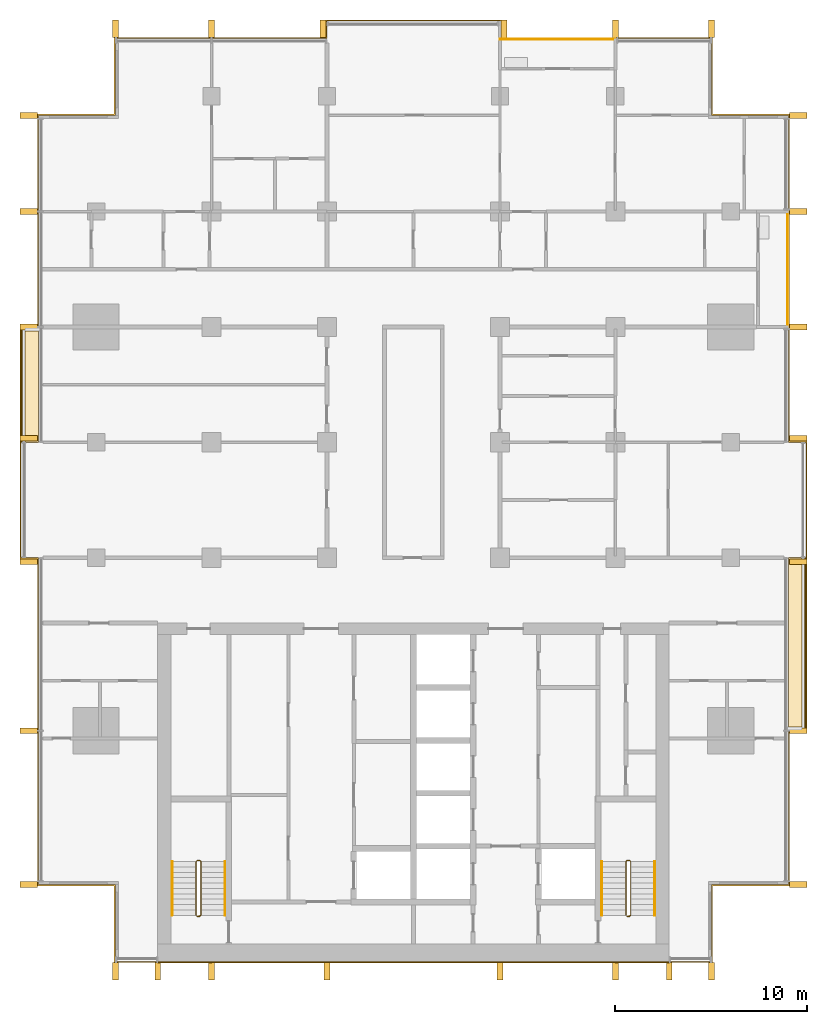
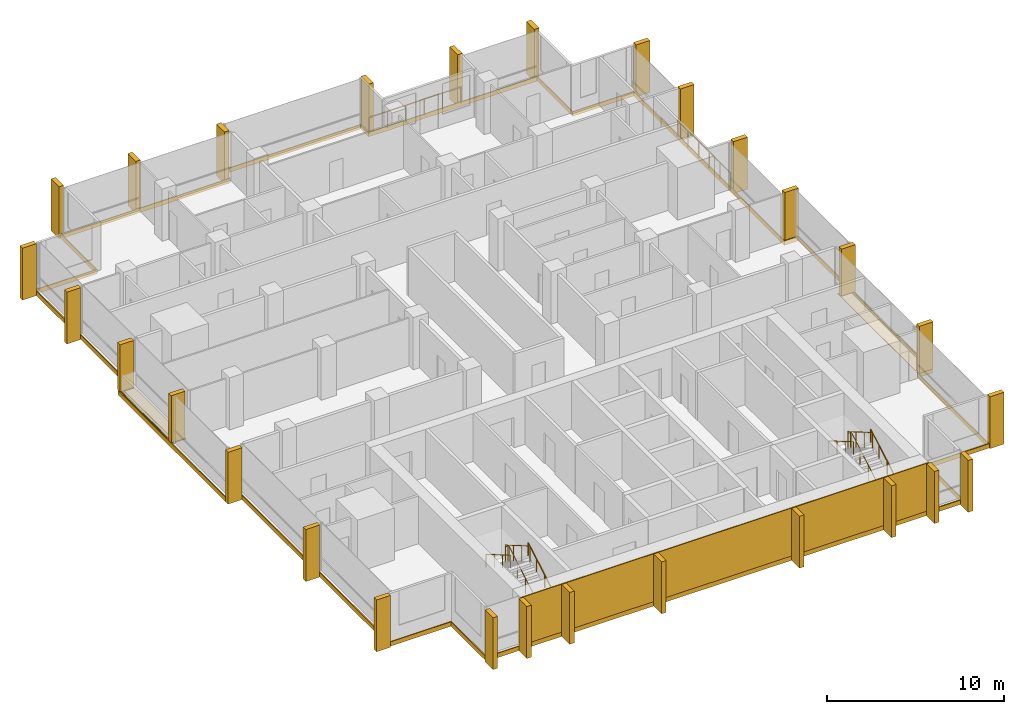
# One storey, part 16 of 16: 28 shading devices, 10 coverings, 8 railings.
"""IFC4 building model written with IfcOpenShell, lengths in metres."""

from ifc_helpers import new_model, si_unit, direction, frame, origin, origin_2d, place, context, subcontext, project, spatial, polyline, rectangle, circle, outline, extrude, material, layer, layer_set, type_object, element, save


model = new_model("IFC4")

# Units and contexts
model_context = context("Model", 3, precision=1e-05, world=origin(), true_north=direction((0.0, 1.0)))
body_context = subcontext(model_context, "Body", "Model", "MODEL_VIEW")
ifc_project = project(units=[si_unit("LENGTHUNIT", "METRE"), si_unit("AREAUNIT", "SQUARE_METRE"), si_unit("VOLUMEUNIT", "CUBIC_METRE"), si_unit("PLANEANGLEUNIT", "RADIAN"), si_unit("MASSUNIT", "GRAM", prefix="KILO")], contexts=[model_context])

# Site, building, storey
site_placement = place(None, origin())
site = spatial("IfcSite", under=ifc_project, at=site_placement, CompositionType="ELEMENT")
building_placement = place(site_placement, origin())
building = spatial("IfcBuilding", under=site, at=building_placement, Name="Finial Court Residences", CompositionType="ELEMENT")
storey_placement = place(building_placement, frame((0.0, 0.0, 156.5)))
storey = spatial("IfcBuildingStorey", under=building, at=storey_placement, Name="L38", CompositionType="ELEMENT", Elevation=156.5)

# Railings
ifc_material_1 = material(Name="Bronze anodised aluminium", Category="aluminium")
railing_type_1 = type_object("IfcRailingType", Name="Balcony guard 1100", PredefinedType="GUARDRAIL", material=ifc_material_1)
railing_1_placement = place(storey_placement, frame((4.5, 22.449951171875, 0.0)))
element("IfcRailing", 1, at=railing_1_placement, inside=storey, type_object=railing_type_1, Name="E-L38-BALN4-R", PredefinedType="GUARDRAIL", context=body_context, shape_type="SweptSolid", body=[
    extrude(circle(Radius=0.02392578125, at=origin_2d()), frame((0.0, 0.0, 1.076171875), z_axis=(1.0, 0.0, 0.0), x_axis=(0.0, 1.0, 0.0)), (0.0, 0.0, 1.0), 6.0),
    extrude(circle(Radius=0.02099609375, at=origin_2d()), origin(), (0.0, 0.0, 1.0), 1.052001953125),
    extrude(circle(Radius=0.02099609375, at=origin_2d()), frame((1.199951171875, 0.0, 0.0)), (0.0, 0.0, 1.0), 1.052001953125),
    extrude(circle(Radius=0.02099609375, at=origin_2d()), frame((2.39990234375, 0.0, 0.0)), (0.0, 0.0, 1.0), 1.052001953125),
    extrude(circle(Radius=0.02099609375, at=origin_2d()), frame((3.60009765625, 0.0, 0.0)), (0.0, 0.0, 1.0), 1.052001953125),
    extrude(circle(Radius=0.02099609375, at=origin_2d()), frame((4.800048828125, 0.0, 0.0)), (0.0, 0.0, 1.0), 1.052001953125),
    extrude(circle(Radius=0.02099609375, at=origin_2d()), frame((6.0, 0.0, 0.0)), (0.0, 0.0, 1.0), 1.052001953125),
])
railing_2_placement = place(storey_placement, frame((19.449951171875, 7.5, 0.0)))
element("IfcRailing", 2, at=railing_2_placement, inside=storey, type_object=railing_type_1, Name="E-L38-BALE5-R", PredefinedType="GUARDRAIL", context=body_context, shape_type="SweptSolid", body=[
    extrude(circle(Radius=0.02392578125, at=origin_2d()), frame((0.0, 0.0, 1.076171875), z_axis=(0.0, 1.0, 0.0), x_axis=(-1.0, 0.0, 0.0)), (0.0, 0.0, 1.0), 6.0),
    extrude(circle(Radius=0.02099609375, at=origin_2d()), origin(), (0.0, 0.0, 1.0), 1.052001953125),
    extrude(circle(Radius=0.02099609375, at=origin_2d()), frame((0.0, 1.199951171875, 0.0)), (0.0, 0.0, 1.0), 1.052001953125),
    extrude(circle(Radius=0.02099609375, at=origin_2d()), frame((0.0, 2.39990234375, 0.0)), (0.0, 0.0, 1.0), 1.052001953125),
    extrude(circle(Radius=0.02099609375, at=origin_2d()), frame((0.0, 3.60009765625, 0.0)), (0.0, 0.0, 1.0), 1.052001953125),
    extrude(circle(Radius=0.02099609375, at=origin_2d()), frame((0.0, 4.800048828125, 0.0)), (0.0, 0.0, 1.0), 1.052001953125),
    extrude(circle(Radius=0.02099609375, at=origin_2d()), frame((0.0, 6.0, 0.0)), (0.0, 0.0, 1.0), 1.052001953125),
])

# Coverings
ifc_material_2 = material(Name="Natural limestone", Category="masonry")
ifc_layer_1 = layer(ifc_material_2, 0.06005859375)
ifc_layer_set_1 = layer_set([ifc_layer_1], Name="Limestone cladding to the blind core face 60")
covering_type_1 = type_object("IfcCoveringType", Name="Limestone cladding to the blind core face 60", PredefinedType="CLADDING", material=ifc_layer_set_1)
covering_1_placement = place(storey_placement, origin())
element("IfcCovering", 3, at=covering_1_placement, inside=storey, type_object=covering_type_1, Name="E-L38-CLAD1", PredefinedType="CLADDING", context=body_context, shape_type="SweptSolid", body=[
    extrude(outline(polyline([(-10.5, -25.56005859375), (-10.5, -25.5), (-13.300048828125, -25.5), (-13.300048828125, -25.56005859375), (-10.5, -25.56005859375)])), origin(), (0.0, 0.0, 1.0), 3.300048828125),
])
covering_2_placement = place(storey_placement, origin())
element("IfcCovering", 4, at=covering_2_placement, inside=storey, type_object=covering_type_1, Name="E-L38-CLAD2", PredefinedType="CLADDING", context=body_context, shape_type="SweptSolid", body=[
    extrude(outline(polyline([(-4.5, -25.56005859375), (-4.5, -25.5), (-10.5, -25.5), (-10.5, -25.56005859375), (-4.5, -25.56005859375)])), origin(), (0.0, 0.0, 1.0), 3.300048828125),
])
covering_3_placement = place(storey_placement, origin())
element("IfcCovering", 5, at=covering_3_placement, inside=storey, type_object=covering_type_1, Name="E-L38-CLAD3", PredefinedType="CLADDING", context=body_context, shape_type="SweptSolid", body=[
    extrude(outline(polyline([(4.5, -25.56005859375), (4.5, -25.5), (-4.5, -25.5), (-4.5, -25.56005859375), (4.5, -25.56005859375)])), origin(), (0.0, 0.0, 1.0), 3.300048828125),
])
covering_4_placement = place(storey_placement, origin())
element("IfcCovering", 6, at=covering_4_placement, inside=storey, type_object=covering_type_1, Name="E-L38-CLAD4", PredefinedType="CLADDING", context=body_context, shape_type="SweptSolid", body=[
    extrude(outline(polyline([(10.5, -25.56005859375), (10.5, -25.5), (4.5, -25.5), (4.5, -25.56005859375), (10.5, -25.56005859375)])), origin(), (0.0, 0.0, 1.0), 3.300048828125),
])
covering_5_placement = place(storey_placement, origin())
element("IfcCovering", 7, at=covering_5_placement, inside=storey, type_object=covering_type_1, Name="E-L38-CLAD5", PredefinedType="CLADDING", context=body_context, shape_type="SweptSolid", body=[
    extrude(outline(polyline([(13.300048828125, -25.56005859375), (13.300048828125, -25.5), (10.5, -25.5), (10.5, -25.56005859375), (13.300048828125, -25.56005859375)])), origin(), (0.0, 0.0, 1.0), 3.300048828125),
])

# Shading devices
shading_device_type = type_object("IfcShadingDeviceType", Name="Limestone fin 300 x 900", PredefinedType="USERDEFINED", material=ifc_material_2)
for number, where, z_axis, x_axis, name in (
    (8, (-15.5, 23.010009765625, -0.300048828125), (0.0, 0.0, 1.0), (1.0, 0.0, 0.0), "E-L38-FIN-N1"),
    (9, (-10.5, 23.010009765625, -0.300048828125), (0.0, 0.0, 1.0), (1.0, 0.0, 0.0), "E-L38-FIN-N2"),
    (10, (-4.7099609375, 23.010009765625, -0.300048828125), (0.0, 0.0, 1.0), (1.0, 0.0, 0.0), "E-L38-FIN-N3"),
    (11, (4.7099609375, 23.010009765625, -0.300048828125), (0.0, 0.0, 1.0), (1.0, 0.0, 0.0), "E-L38-FIN-N4"),
    (12, (10.5, 23.010009765625, -0.300048828125), (0.0, 0.0, 1.0), (1.0, 0.0, 0.0), "E-L38-FIN-N5"),
    (13, (15.5, 23.010009765625, -0.300048828125), (0.0, 0.0, 1.0), (1.0, 0.0, 0.0), "E-L38-FIN-N6"),
):
    element("IfcShadingDevice", number, at=place(storey_placement, frame(where, z_axis=z_axis, x_axis=x_axis)), inside=storey, type_object=shading_device_type, Name=name, ObjectType="FIN", PredefinedType="USERDEFINED", context=body_context, shape_type="SweptSolid", body=[
        extrude(rectangle(XDim=0.300048828125, YDim=0.89990234375, at=origin_2d()), origin(), (0.0, 0.0, 1.0), 3.580078125),
    ])
shading_device_placement = place(storey_placement, frame((20.010009765625, -21.5, -0.300048828125), z_axis=(0.0, 0.0, 1.0), x_axis=(1.0, 0.0, 0.0)))
element("IfcShadingDevice", 14, at=shading_device_placement, inside=storey, type_object=shading_device_type, Name="E-L38-FIN-E7", ObjectType="FIN", PredefinedType="USERDEFINED", context=body_context, shape_type="SweptSolid", body=[
    extrude(rectangle(XDim=0.89990234375, YDim=0.300048828125, at=origin_2d()), origin(), (0.0, 0.0, 1.0), 3.580078125),
])
for number, where, z_axis, x_axis, name in (
    (15, (20.010009765625, -13.5, 0.0400390625), (0.0, 0.0, 1.0), (1.0, 0.0, 0.0), "E-L38-FIN-E8"),
    (16, (20.010009765625, -4.7099609375, 0.0400390625), (0.0, 0.0, 1.0), (1.0, 0.0, 0.0), "E-L38-FIN-E9"),
):
    element("IfcShadingDevice", number, at=place(storey_placement, frame(where, z_axis=z_axis, x_axis=x_axis)), inside=storey, type_object=shading_device_type, Name=name, ObjectType="FIN", PredefinedType="USERDEFINED", context=body_context, shape_type="SweptSolid", body=[
        extrude(rectangle(XDim=0.89990234375, YDim=0.300048828125, at=origin_2d()), origin(), (0.0, 0.0, 1.0), 3.239990234375),
    ])
for number, where, z_axis, x_axis, name in (
    (17, (20.010009765625, 1.7099609375, -0.300048828125), (0.0, 0.0, 1.0), (1.0, 0.0, 0.0), "E-L38-FIN-E10"),
    (18, (20.010009765625, 7.5, -0.300048828125), (0.0, 0.0, 1.0), (1.0, 0.0, 0.0), "E-L38-FIN-E11"),
    (19, (20.010009765625, 13.5, -0.300048828125), (0.0, 0.0, 1.0), (1.0, 0.0, 0.0), "E-L38-FIN-E12"),
    (20, (20.010009765625, 18.5, -0.300048828125), (0.0, 0.0, 1.0), (1.0, 0.0, 0.0), "E-L38-FIN-E13"),
):
    element("IfcShadingDevice", number, at=place(storey_placement, frame(where, z_axis=z_axis, x_axis=x_axis)), inside=storey, type_object=shading_device_type, Name=name, ObjectType="FIN", PredefinedType="USERDEFINED", context=body_context, shape_type="SweptSolid", body=[
        extrude(rectangle(XDim=0.89990234375, YDim=0.300048828125, at=origin_2d()), origin(), (0.0, 0.0, 1.0), 3.580078125),
    ])
for number, where, z_axis, x_axis, name in (
    (21, (-15.5, -26.010009765625, -0.300048828125), (0.0, 0.0, 1.0), (1.0, 0.0, 0.0), "E-L38-FIN-S14"),
    (22, (-13.300048828125, -26.010009765625, -0.300048828125), (0.0, 0.0, 1.0), (1.0, 0.0, 0.0), "E-L38-FIN-S15"),
    (23, (-10.5, -26.010009765625, -0.300048828125), (0.0, 0.0, 1.0), (1.0, 0.0, 0.0), "E-L38-FIN-S16"),
    (24, (-4.5, -26.010009765625, -0.300048828125), (0.0, 0.0, 1.0), (1.0, 0.0, 0.0), "E-L38-FIN-S17"),
    (25, (4.5, -26.010009765625, -0.300048828125), (0.0, 0.0, 1.0), (1.0, 0.0, 0.0), "E-L38-FIN-S18"),
    (26, (10.5, -26.010009765625, -0.300048828125), (0.0, 0.0, 1.0), (1.0, 0.0, 0.0), "E-L38-FIN-S19"),
    (27, (13.300048828125, -26.010009765625, -0.300048828125), (0.0, 0.0, 1.0), (1.0, 0.0, 0.0), "E-L38-FIN-S20"),
    (28, (15.5, -26.010009765625, -0.300048828125), (0.0, 0.0, 1.0), (1.0, 0.0, 0.0), "E-L38-FIN-S21"),
):
    element("IfcShadingDevice", number, at=place(storey_placement, frame(where, z_axis=z_axis, x_axis=x_axis)), inside=storey, type_object=shading_device_type, Name=name, ObjectType="FIN", PredefinedType="USERDEFINED", context=body_context, shape_type="SweptSolid", body=[
        extrude(rectangle(XDim=0.300048828125, YDim=0.89990234375, at=origin_2d()), origin(), (0.0, 0.0, 1.0), 3.580078125),
    ])
for number, where, z_axis, x_axis, name in (
    (29, (-20.010009765625, -21.5, -0.300048828125), (0.0, 0.0, 1.0), (1.0, 0.0, 0.0), "E-L38-FIN-W22"),
    (30, (-20.010009765625, -13.5, -0.300048828125), (0.0, 0.0, 1.0), (1.0, 0.0, 0.0), "E-L38-FIN-W23"),
    (31, (-20.010009765625, -4.7099609375, -0.300048828125), (0.0, 0.0, 1.0), (1.0, 0.0, 0.0), "E-L38-FIN-W24"),
):
    element("IfcShadingDevice", number, at=place(storey_placement, frame(where, z_axis=z_axis, x_axis=x_axis)), inside=storey, type_object=shading_device_type, Name=name, ObjectType="FIN", PredefinedType="USERDEFINED", context=body_context, shape_type="SweptSolid", body=[
        extrude(rectangle(XDim=0.89990234375, YDim=0.300048828125, at=origin_2d()), origin(), (0.0, 0.0, 1.0), 3.580078125),
    ])
for number, where, z_axis, x_axis, name in (
    (32, (-20.010009765625, 1.7099609375, 0.0400390625), (0.0, 0.0, 1.0), (1.0, 0.0, 0.0), "E-L38-FIN-W25"),
    (33, (-20.010009765625, 7.5, 0.0400390625), (0.0, 0.0, 1.0), (1.0, 0.0, 0.0), "E-L38-FIN-W26"),
):
    element("IfcShadingDevice", number, at=place(storey_placement, frame(where, z_axis=z_axis, x_axis=x_axis)), inside=storey, type_object=shading_device_type, Name=name, ObjectType="FIN", PredefinedType="USERDEFINED", context=body_context, shape_type="SweptSolid", body=[
        extrude(rectangle(XDim=0.89990234375, YDim=0.300048828125, at=origin_2d()), origin(), (0.0, 0.0, 1.0), 3.239990234375),
    ])
for number, where, z_axis, x_axis, name in (
    (34, (-20.010009765625, 13.5, -0.300048828125), (0.0, 0.0, 1.0), (1.0, 0.0, 0.0), "E-L38-FIN-W27"),
    (35, (-20.010009765625, 18.5, -0.300048828125), (0.0, 0.0, 1.0), (1.0, 0.0, 0.0), "E-L38-FIN-W28"),
):
    element("IfcShadingDevice", number, at=place(storey_placement, frame(where, z_axis=z_axis, x_axis=x_axis)), inside=storey, type_object=shading_device_type, Name=name, ObjectType="FIN", PredefinedType="USERDEFINED", context=body_context, shape_type="SweptSolid", body=[
        extrude(rectangle(XDim=0.89990234375, YDim=0.300048828125, at=origin_2d()), origin(), (0.0, 0.0, 1.0), 3.580078125),
    ])

# Coverings
ifc_material_3 = material(Name="Pale limestone", Category="masonry")
ifc_layer_2 = layer(ifc_material_3, 0.06005859375)
ifc_layer_set_2 = layer_set([ifc_layer_2], Name="Pale limestone slab-edge band 60")
covering_type_2 = type_object("IfcCoveringType", Name="Pale limestone slab-edge band 60", PredefinedType="CLADDING", material=ifc_layer_set_2)
covering_6_placement = place(storey_placement, frame((0.0, 0.0, -0.300048828125)))
element("IfcCovering", 36, at=covering_6_placement, inside=storey, type_object=covering_type_2, Name="E-L38-BAND1", PredefinedType="CLADDING", context=body_context, shape_type="SweptSolid", body=[
    extrude(outline(polyline([(15.56005859375, -21.56005859375), (15.56005859375, -25.56005859375), (-15.56005859375, -25.56005859375), (-15.56005859375, -21.56005859375), (-19.56005859375, -21.56005859375), (-19.56005859375, -4.56005859375), (-20.4599609375, -4.56005859375), (-20.4599609375, 7.56005859375), (-19.56005859375, 7.56005859375), (-19.56005859375, 18.56005859375), (-15.56005859375, 18.56005859375), (-15.56005859375, 22.56005859375), (-4.56005859375, 22.56005859375), (-4.56005859375, 23.4599609375), (4.56005859375, 23.4599609375), (4.56005859375, 22.56005859375), (15.56005859375, 22.56005859375), (15.56005859375, 18.56005859375), (19.56005859375, 18.56005859375), (19.56005859375, 1.56005859375), (20.4599609375, 1.56005859375), (20.4599609375, -13.56005859375), (19.56005859375, -13.56005859375), (19.56005859375, -21.56005859375), (15.56005859375, -21.56005859375)]), holes=[polyline([(19.5, -13.5), (20.39990234375, -13.5), (20.39990234375, -4.5), (20.39990234375, 1.5), (19.5, 1.5), (19.5, 7.5), (19.5, 13.5), (19.5, 18.5), (15.5, 18.5), (15.5, 22.5), (10.5, 22.5), (4.5, 22.5), (4.5, 23.39990234375), (-4.5, 23.39990234375), (-4.5, 22.5), (-15.5, 22.5), (-15.5, 18.5), (-19.5, 18.5), (-19.5, 7.5), (-20.39990234375, 7.5), (-20.39990234375, 1.5), (-20.39990234375, -4.5), (-19.5, -4.5), (-19.5, -21.5), (-15.5, -21.5), (-15.5, -25.5), (15.5, -25.5), (15.5, -21.5), (19.5, -21.5), (19.5, -13.5)])]), origin(), (0.0, 0.0, 1.0), 0.300048828125),
])
ifc_material_4 = material(Name="Bitumen membrane")
ifc_layer_3 = layer(ifc_material_4, 0.0400390625)
ifc_layer_set_3 = layer_set([ifc_layer_3], Name="Push box roofing, bitumen membrane 40")
covering_type_3 = type_object("IfcCoveringType", Name="Push box roofing, bitumen membrane 40", PredefinedType="ROOFING", material=ifc_layer_set_3)
covering_7_placement = place(storey_placement, origin())
element("IfcCovering", 37, at=covering_7_placement, inside=storey, type_object=covering_type_3, Name="E-L38-LED1", PredefinedType="ROOFING", context=body_context, shape_type="SweptSolid", body=[
    extrude(outline(polyline([(-19.5, 7.449951171875), (-20.199951171875, 7.449951171875), (-20.35009765625, 7.449951171875), (-20.35009765625, 1.5), (-20.39990234375, 1.5), (-20.39990234375, 7.5), (-19.5, 7.5), (-19.5, 7.449951171875)])), origin(), (0.0, 0.0, 1.0), 0.0400390625),
])
covering_8_placement = place(storey_placement, origin())
element("IfcCovering", 38, at=covering_8_placement, inside=storey, type_object=covering_type_3, Name="E-L38-LED1b", PredefinedType="ROOFING", context=body_context, shape_type="SweptSolid", body=[
    extrude(outline(polyline([(-19.5, 1.5), (-20.199951171875, 1.5), (-20.199951171875, 7.300048828125), (-19.5, 7.300048828125), (-19.5, 1.5)])), origin(), (0.0, 0.0, 1.0), 0.0400390625),
])
covering_9_placement = place(storey_placement, origin())
element("IfcCovering", 39, at=covering_9_placement, inside=storey, type_object=covering_type_3, Name="E-L38-LED2", PredefinedType="ROOFING", context=body_context, shape_type="SweptSolid", body=[
    extrude(outline(polyline([(19.5, -13.449951171875), (20.199951171875, -13.449951171875), (20.35009765625, -13.449951171875), (20.35009765625, -4.5), (20.39990234375, -4.5), (20.39990234375, -13.5), (19.5, -13.5), (19.5, -13.449951171875)])), origin(), (0.0, 0.0, 1.0), 0.0400390625),
])
covering_10_placement = place(storey_placement, origin())
element("IfcCovering", 40, at=covering_10_placement, inside=storey, type_object=covering_type_3, Name="E-L38-LED2b", PredefinedType="ROOFING", context=body_context, shape_type="SweptSolid", body=[
    extrude(outline(polyline([(19.5, -4.5), (20.199951171875, -4.5), (20.199951171875, -13.300048828125), (19.5, -13.300048828125), (19.5, -4.5)])), origin(), (0.0, 0.0, 1.0), 0.0400390625),
])

# Railings
ifc_material_5 = material(Name="Stainless steel railing", Category="steel")
railing_type_2 = type_object("IfcRailingType", Name="Stair guard 1100", PredefinedType="GUARDRAIL", material=ifc_material_5)
railing_3_placement = place(storey_placement, frame((-11.10009765625, -23.14990234375, 0.0)))
element("IfcRailing", 41, at=railing_3_placement, inside=storey, type_object=railing_type_2, Name="L38 ST-1 stair guard 1", PredefinedType="GUARDRAIL", context=body_context, shape_type="SweptSolid", body=[
    extrude(circle(Radius=0.02392578125, at=origin_2d()), frame((0.0, 0.0, 1.076171875), z_axis=(-1.0, 0.0, 0.0), x_axis=(0.0, -1.0, 0.0)), (0.0, 0.0, 1.0), 0.14990234375),
    extrude(circle(Radius=0.02392578125, at=origin_2d()), frame((-0.14990234375, 0.0, 1.076171875), z_axis=(0.760004195007, 0.189305074214, 0.621737253547), x_axis=(-0.241699205484, 0.970351222016, 0.0)), (0.0, 0.0, 1.0), 0.26318359375),
    extrude(circle(Radius=0.02392578125, at=origin_2d()), frame((0.050048828125, 0.0498046875, 1.23974609375), z_axis=(0.0, 0.863360870873, 0.504586966384), x_axis=(-1.0, 0.0, 0.0)), (0.0, 0.0, 1.0), 3.2431640625),
    extrude(circle(Radius=0.02392578125, at=origin_2d()), frame((0.050048828125, 2.849853515625, 2.8759765625), z_axis=(-0.707106781187, 0.707106781187, 0.0), x_axis=(-0.707106781187, -0.707106781187, 0.0)), (0.0, 0.0, 1.0), 0.07080078125),
    extrude(circle(Radius=0.02392578125, at=origin_2d()), frame((0.0, 2.89990234375, 2.8759765625), z_axis=(-1.0, 0.0, 0.0), x_axis=(0.0, -1.0, 0.0)), (0.0, 0.0, 1.0), 0.14990234375),
    extrude(circle(Radius=0.02392578125, at=origin_2d()), frame((-0.14990234375, 2.89990234375, 2.8759765625), z_axis=(-0.280808744504, -0.280808744504, 0.917765164963), x_axis=(0.707106781187, -0.707106781187, 0.0)), (0.0, 0.0, 1.0), 0.17822265625),
    extrude(circle(Radius=0.02392578125, at=origin_2d()), frame((-0.199951171875, 2.849853515625, 3.03955078125), z_axis=(0.0, -0.863360870873, 0.504586966384), x_axis=(1.0, 0.0, 0.0)), (0.0, 0.0, 1.0), 3.2431640625),
    extrude(circle(Radius=0.02099609375, at=origin_2d()), origin(), (0.0, 0.0, 1.0), 1.052001953125),
    extrude(circle(Radius=0.02099609375, at=origin_2d()), frame((-0.14990234375, 0.0, 0.0)), (0.0, 0.0, 1.0), 1.052001953125),
    extrude(circle(Radius=0.02099609375, at=origin_2d()), frame((0.050048828125, 0.0498046875, 0.16357421875)), (0.0, 0.0, 1.0), 1.052001953125),
    extrude(circle(Radius=0.02099609375, at=origin_2d()), frame((0.050048828125, 0.983154296875, 0.708984375)), (0.0, 0.0, 1.0), 1.052001953125),
    extrude(circle(Radius=0.02099609375, at=origin_2d()), frame((0.050048828125, 1.91650390625, 1.254638671875)), (0.0, 0.0, 1.0), 1.052001953125),
    extrude(circle(Radius=0.02099609375, at=origin_2d()), frame((0.050048828125, 2.849853515625, 1.800048828125)), (0.0, 0.0, 1.0), 1.052001953125),
    extrude(circle(Radius=0.02099609375, at=origin_2d()), frame((0.0, 2.89990234375, 1.800048828125)), (0.0, 0.0, 1.0), 1.052001953125),
    extrude(circle(Radius=0.02099609375, at=origin_2d()), frame((-0.14990234375, 2.89990234375, 1.800048828125)), (0.0, 0.0, 1.0), 1.052001953125),
    extrude(circle(Radius=0.02099609375, at=origin_2d()), frame((-0.199951171875, 2.849853515625, 1.963623046875)), (0.0, 0.0, 1.0), 1.052001953125),
    extrude(circle(Radius=0.02099609375, at=origin_2d()), frame((-0.199951171875, 1.91650390625, 2.509033203125)), (0.0, 0.0, 1.0), 1.052001953125),
    extrude(circle(Radius=0.02099609375, at=origin_2d()), frame((-0.199951171875, 0.983154296875, 3.0546875)), (0.0, 0.0, 1.0), 1.052001953125),
    extrude(circle(Radius=0.02099609375, at=origin_2d()), frame((-0.199951171875, 0.0498046875, 3.60009765625)), (0.0, 0.0, 1.0), 1.052001953125),
])
railing_4_placement = place(storey_placement, frame((11.25, -23.14990234375, 0.0)))
element("IfcRailing", 42, at=railing_4_placement, inside=storey, type_object=railing_type_2, Name="L38 ST-2 stair guard 1", PredefinedType="GUARDRAIL", context=body_context, shape_type="SweptSolid", body=[
    extrude(circle(Radius=0.02392578125, at=origin_2d()), frame((0.0, 0.0, 1.076171875), z_axis=(-1.0, 0.0, 0.0), x_axis=(0.0, -1.0, 0.0)), (0.0, 0.0, 1.0), 0.14990234375),
    extrude(circle(Radius=0.02392578125, at=origin_2d()), frame((-0.14990234375, 0.0, 1.076171875), z_axis=(0.760004195007, 0.189305074214, 0.621737253547), x_axis=(-0.241699205484, 0.970351222016, 0.0)), (0.0, 0.0, 1.0), 0.26318359375),
    extrude(circle(Radius=0.02392578125, at=origin_2d()), frame((0.050048828125, 0.0498046875, 1.23974609375), z_axis=(0.0, 0.863360870873, 0.504586966384), x_axis=(-1.0, 0.0, 0.0)), (0.0, 0.0, 1.0), 3.2431640625),
    extrude(circle(Radius=0.02392578125, at=origin_2d()), frame((0.050048828125, 2.849853515625, 2.8759765625), z_axis=(-0.707106781187, 0.707106781187, 0.0), x_axis=(-0.707106781187, -0.707106781187, 0.0)), (0.0, 0.0, 1.0), 0.07080078125),
    extrude(circle(Radius=0.02392578125, at=origin_2d()), frame((0.0, 2.89990234375, 2.8759765625), z_axis=(-1.0, 0.0, 0.0), x_axis=(0.0, -1.0, 0.0)), (0.0, 0.0, 1.0), 0.14990234375),
    extrude(circle(Radius=0.02392578125, at=origin_2d()), frame((-0.14990234375, 2.89990234375, 2.8759765625), z_axis=(-0.280808744504, -0.280808744504, 0.917765164963), x_axis=(0.707106781187, -0.707106781187, 0.0)), (0.0, 0.0, 1.0), 0.17822265625),
    extrude(circle(Radius=0.02392578125, at=origin_2d()), frame((-0.199951171875, 2.849853515625, 3.03955078125), z_axis=(0.0, -0.863360870873, 0.504586966384), x_axis=(1.0, 0.0, 0.0)), (0.0, 0.0, 1.0), 3.2431640625),
    extrude(circle(Radius=0.02099609375, at=origin_2d()), origin(), (0.0, 0.0, 1.0), 1.052001953125),
    extrude(circle(Radius=0.02099609375, at=origin_2d()), frame((-0.14990234375, 0.0, 0.0)), (0.0, 0.0, 1.0), 1.052001953125),
    extrude(circle(Radius=0.02099609375, at=origin_2d()), frame((0.050048828125, 0.0498046875, 0.16357421875)), (0.0, 0.0, 1.0), 1.052001953125),
    extrude(circle(Radius=0.02099609375, at=origin_2d()), frame((0.050048828125, 0.983154296875, 0.708984375)), (0.0, 0.0, 1.0), 1.052001953125),
    extrude(circle(Radius=0.02099609375, at=origin_2d()), frame((0.050048828125, 1.91650390625, 1.254638671875)), (0.0, 0.0, 1.0), 1.052001953125),
    extrude(circle(Radius=0.02099609375, at=origin_2d()), frame((0.050048828125, 2.849853515625, 1.800048828125)), (0.0, 0.0, 1.0), 1.052001953125),
    extrude(circle(Radius=0.02099609375, at=origin_2d()), frame((0.0, 2.89990234375, 1.800048828125)), (0.0, 0.0, 1.0), 1.052001953125),
    extrude(circle(Radius=0.02099609375, at=origin_2d()), frame((-0.14990234375, 2.89990234375, 1.800048828125)), (0.0, 0.0, 1.0), 1.052001953125),
    extrude(circle(Radius=0.02099609375, at=origin_2d()), frame((-0.199951171875, 2.849853515625, 1.963623046875)), (0.0, 0.0, 1.0), 1.052001953125),
    extrude(circle(Radius=0.02099609375, at=origin_2d()), frame((-0.199951171875, 1.91650390625, 2.509033203125)), (0.0, 0.0, 1.0), 1.052001953125),
    extrude(circle(Radius=0.02099609375, at=origin_2d()), frame((-0.199951171875, 0.983154296875, 3.0546875)), (0.0, 0.0, 1.0), 1.052001953125),
    extrude(circle(Radius=0.02099609375, at=origin_2d()), frame((-0.199951171875, 0.0498046875, 3.60009765625)), (0.0, 0.0, 1.0), 1.052001953125),
])
railing_type_3 = type_object("IfcRailingType", Name="Stair handrail 900", PredefinedType="HANDRAIL", material=ifc_material_5)
railing_5_placement = place(storey_placement, frame((-9.800048828125, -23.10009765625, 0.16357421875)))
element("IfcRailing", 43, at=railing_5_placement, inside=storey, type_object=railing_type_3, Name="L38 ST-1 stair handrail 1", PredefinedType="HANDRAIL", context=body_context, shape_type="SweptSolid", body=[
    extrude(circle(Radius=0.02392578125, at=origin_2d()), frame((0.0, 0.0, 0.8759765625), z_axis=(0.0, 0.863360870873, 0.504586966384), x_axis=(-1.0, 0.0, 0.0)), (0.0, 0.0, 1.0), 3.2431640625),
    extrude(circle(Radius=0.02099609375, at=origin_2d()), origin(), (0.0, 0.0, 1.0), 0.851806640625),
    extrude(circle(Radius=0.02099609375, at=origin_2d()), frame((0.0, 0.933349609375, 0.54541015625)), (0.0, 0.0, 1.0), 0.851806640625),
    extrude(circle(Radius=0.02099609375, at=origin_2d()), frame((0.0, 1.86669921875, 1.091064453125)), (0.0, 0.0, 1.0), 0.851806640625),
    extrude(circle(Radius=0.02099609375, at=origin_2d()), frame((0.0, 2.800048828125, 1.636474609375)), (0.0, 0.0, 1.0), 0.851806640625),
])
railing_6_placement = place(storey_placement, frame((-12.550048828125, -20.300048828125, 1.963623046875)))
element("IfcRailing", 44, at=railing_6_placement, inside=storey, type_object=railing_type_3, Name="L38 ST-1 stair handrail 2", PredefinedType="HANDRAIL", context=body_context, shape_type="SweptSolid", body=[
    extrude(circle(Radius=0.02392578125, at=origin_2d()), frame((0.0, 0.0, 0.8759765625), z_axis=(0.0, -0.863360870873, 0.504586966384), x_axis=(1.0, 0.0, 0.0)), (0.0, 0.0, 1.0), 3.2431640625),
    extrude(circle(Radius=0.02099609375, at=origin_2d()), origin(), (0.0, 0.0, 1.0), 0.851806640625),
    extrude(circle(Radius=0.02099609375, at=origin_2d()), frame((0.0, -0.933349609375, 0.54541015625)), (0.0, 0.0, 1.0), 0.851806640625),
    extrude(circle(Radius=0.02099609375, at=origin_2d()), frame((0.0, -1.86669921875, 1.091064453125)), (0.0, 0.0, 1.0), 0.851806640625),
    extrude(circle(Radius=0.02099609375, at=origin_2d()), frame((0.0, -2.800048828125, 1.636474609375)), (0.0, 0.0, 1.0), 0.851806640625),
])
railing_7_placement = place(storey_placement, frame((12.550048828125, -23.10009765625, 0.16357421875)))
element("IfcRailing", 45, at=railing_7_placement, inside=storey, type_object=railing_type_3, Name="L38 ST-2 stair handrail 1", PredefinedType="HANDRAIL", context=body_context, shape_type="SweptSolid", body=[
    extrude(circle(Radius=0.02392578125, at=origin_2d()), frame((0.0, 0.0, 0.8759765625), z_axis=(0.0, 0.863360870873, 0.504586966384), x_axis=(-1.0, 0.0, 0.0)), (0.0, 0.0, 1.0), 3.2431640625),
    extrude(circle(Radius=0.02099609375, at=origin_2d()), origin(), (0.0, 0.0, 1.0), 0.851806640625),
    extrude(circle(Radius=0.02099609375, at=origin_2d()), frame((0.0, 0.933349609375, 0.54541015625)), (0.0, 0.0, 1.0), 0.851806640625),
    extrude(circle(Radius=0.02099609375, at=origin_2d()), frame((0.0, 1.86669921875, 1.091064453125)), (0.0, 0.0, 1.0), 0.851806640625),
    extrude(circle(Radius=0.02099609375, at=origin_2d()), frame((0.0, 2.800048828125, 1.636474609375)), (0.0, 0.0, 1.0), 0.851806640625),
])
railing_8_placement = place(storey_placement, frame((9.800048828125, -20.300048828125, 1.963623046875)))
element("IfcRailing", 46, at=railing_8_placement, inside=storey, type_object=railing_type_3, Name="L38 ST-2 stair handrail 2", PredefinedType="HANDRAIL", context=body_context, shape_type="SweptSolid", body=[
    extrude(circle(Radius=0.02392578125, at=origin_2d()), frame((0.0, 0.0, 0.8759765625), z_axis=(0.0, -0.863360870873, 0.504586966384), x_axis=(1.0, 0.0, 0.0)), (0.0, 0.0, 1.0), 3.2431640625),
    extrude(circle(Radius=0.02099609375, at=origin_2d()), origin(), (0.0, 0.0, 1.0), 0.851806640625),
    extrude(circle(Radius=0.02099609375, at=origin_2d()), frame((0.0, -0.933349609375, 0.54541015625)), (0.0, 0.0, 1.0), 0.851806640625),
    extrude(circle(Radius=0.02099609375, at=origin_2d()), frame((0.0, -1.86669921875, 1.091064453125)), (0.0, 0.0, 1.0), 0.851806640625),
    extrude(circle(Radius=0.02099609375, at=origin_2d()), frame((0.0, -2.800048828125, 1.636474609375)), (0.0, 0.0, 1.0), 0.851806640625),
])

save(model, "model.ifc")
